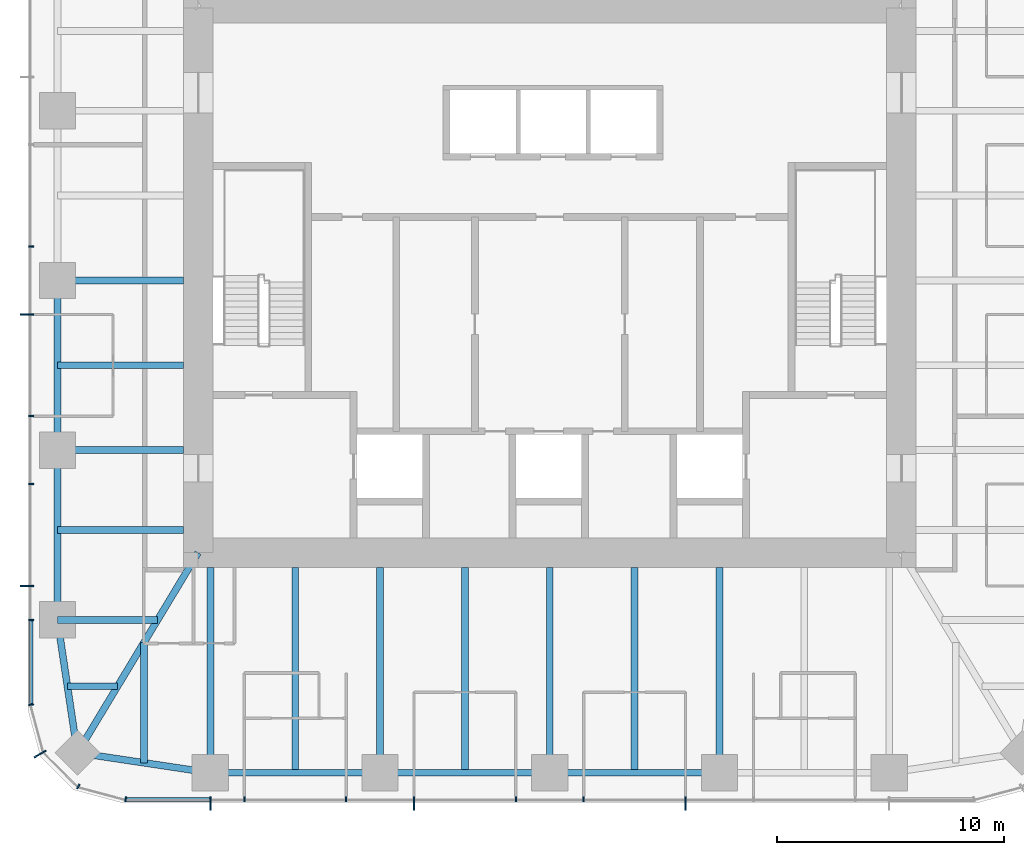
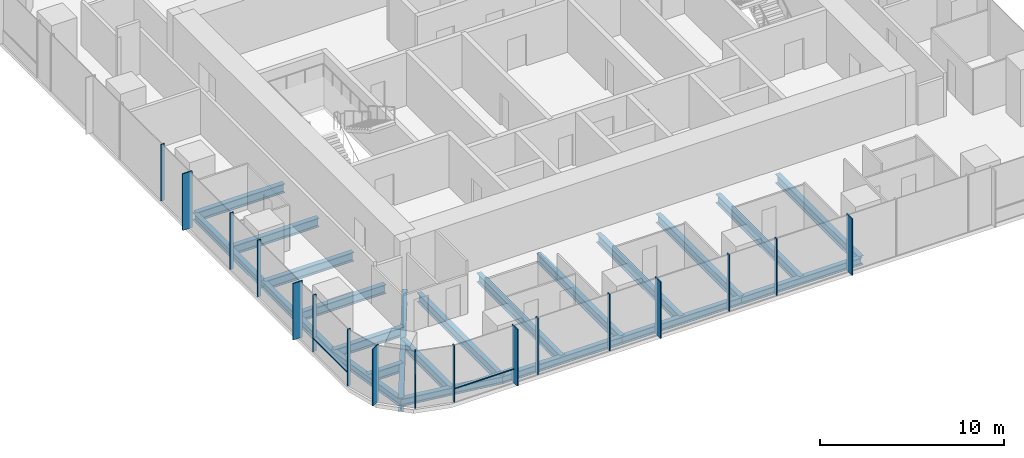
# One storey, part 2 of 12: 22 beams, 19 members, 3 elements without a shape of their own.
"""IFC4 building model written with IfcOpenShell, lengths in metres."""

from ifc_helpers import new_model, si_unit, direction, frame, origin, origin_2d, place, context, subcontext, project, spatial, rectangle, i_section, extrude, material, material_profile, profile_set, type_object, element, aggregate, save


model = new_model("IFC4")

# Units and contexts
model_context = context("Model", 3, precision=1e-05, world=origin(), true_north=direction((0.0, 1.0)))
body_context = subcontext(model_context, "Body", "Model", "MODEL_VIEW")
ifc_project = project(units=[si_unit("LENGTHUNIT", "METRE"), si_unit("AREAUNIT", "SQUARE_METRE"), si_unit("VOLUMEUNIT", "CUBIC_METRE"), si_unit("PLANEANGLEUNIT", "RADIAN"), si_unit("MASSUNIT", "GRAM", prefix="KILO")], contexts=[model_context])

# Site, building, storey
site_placement = place(None, origin())
site = spatial("IfcSite", under=ifc_project, at=site_placement, CompositionType="ELEMENT")
building_placement = place(site_placement, origin())
building = spatial("IfcBuilding", under=site, at=building_placement, Name="Khuree Lantern Residences", CompositionType="ELEMENT")
storey_placement = place(building_placement, frame((0.0, 0.0, 342.0)))
storey = spatial("IfcBuildingStorey", under=building, at=storey_placement, Name="L86", CompositionType="ELEMENT", Elevation=342.0)

# Beams
ifc_material_1 = material(Name="Steel S355", Category="steel")
ifc_material_profile_1 = material_profile(ifc_material_1, i_section(OverallWidth=0.300048828125, OverallDepth=0.590087890625, WebThickness=0.012939453125, FlangeThickness=0.02490234375, FilletRadius=0.027099609375, at=origin_2d()), Name="HE 600 A")
ifc_profile_set_1 = profile_set([ifc_material_profile_1], Name="Steel S355")
beam_type_1 = type_object("IfcBeamType", Name="B-45 SECONDARY BEAM HE 600 A", PredefinedType="BEAM", material=ifc_profile_set_1)
for number, where, z_axis, x_axis, name in (
    (1, (3.739990234375, -21.699951171875, -0.544921875), (0.0, 1.0, 0.0), (-1.0, 0.0, 0.0), "Secondary beam S3"),
    (2, (-3.739990234375, -21.699951171875, -0.544921875), (0.0, 1.0, 0.0), (-1.0, 0.0, 0.0), "Secondary beam S4"),
    (3, (-11.219970703125, -21.699951171875, -0.544921875), (0.0, 1.0, 0.0), (-1.0, 0.0, 0.0), "Secondary beam S5"),
):
    element("IfcBeam", number, at=place(storey_placement, frame(where, z_axis=z_axis, x_axis=x_axis)), inside=storey, type_object=beam_type_1, Name=name, PredefinedType="BEAM", context=body_context, shape_type="SweptSolid", body=[
        extrude(i_section(OverallWidth=0.300048828125, OverallDepth=0.590087890625, WebThickness=0.012939453125, FlangeThickness=0.02490234375, FilletRadius=0.027099609375, at=origin_2d()), origin(), (0.0, 0.0, 1.0), 9.050048828125),
    ])
beam_1_placement = place(storey_placement, frame((-17.890625, -21.2607421875, -0.544921875), z_axis=(0.0, 1.0, 0.0), x_axis=(-1.0, 0.0, 0.0)))
element("IfcBeam", 4, at=beam_1_placement, inside=storey, type_object=beam_type_1, Name="Secondary beam S6", PredefinedType="BEAM", context=body_context, shape_type="SweptSolid", body=[
    extrude(i_section(OverallWidth=0.300048828125, OverallDepth=0.590087890625, WebThickness=0.012939453125, FlangeThickness=0.02490234375, FilletRadius=0.027099609375, at=origin_2d()), origin(), (0.0, 0.0, 1.0), 5.297607421875),
])
beam_2_placement = place(storey_placement, frame((-21.2607421875, -17.890625, -0.544921875), z_axis=(1.0, 0.0, 0.0), x_axis=(0.0, 1.0, 0.0)))
element("IfcBeam", 5, at=beam_2_placement, inside=storey, type_object=beam_type_1, Name="Secondary beam W1", PredefinedType="BEAM", context=body_context, shape_type="SweptSolid", body=[
    extrude(i_section(OverallWidth=0.300048828125, OverallDepth=0.590087890625, WebThickness=0.012939453125, FlangeThickness=0.02490234375, FilletRadius=0.027099609375, at=origin_2d()), origin(), (0.0, 0.0, 1.0), 2.207275390625),
])
for number, where, z_axis, x_axis, name in (
    (6, (-21.699951171875, -11.0, -0.544921875), (1.0, 0.0, 0.0), (0.0, 1.0, 0.0), "Secondary beam W2"),
    (7, (-21.699951171875, -3.739990234375, -0.544921875), (1.0, 0.0, 0.0), (0.0, 1.0, 0.0), "Secondary beam W3"),
):
    element("IfcBeam", number, at=place(storey_placement, frame(where, z_axis=z_axis, x_axis=x_axis)), inside=storey, type_object=beam_type_1, Name=name, PredefinedType="BEAM", context=body_context, shape_type="SweptSolid", body=[
        extrude(i_section(OverallWidth=0.300048828125, OverallDepth=0.590087890625, WebThickness=0.012939453125, FlangeThickness=0.02490234375, FilletRadius=0.027099609375, at=origin_2d()), origin(), (0.0, 0.0, 1.0), 5.550048828125),
    ])
ifc_material_profile_2 = material_profile(ifc_material_1, i_section(OverallWidth=0.300048828125, OverallDepth=0.489990234375, WebThickness=0.011962890625, FlangeThickness=0.02294921875, FilletRadius=0.027099609375, at=origin_2d()), Name="HE 500 A")
ifc_profile_set_2 = profile_set([ifc_material_profile_2], Name="Steel S355")
beam_type_2 = type_object("IfcBeamType", Name="E-45 SPANDREL BEAM HE 500 A", PredefinedType="SPANDREL", material=ifc_profile_set_2)
for number, where, z_axis, x_axis, name in (
    (8, (7.47998046875, -21.699951171875, -0.4951171875), (-1.0, 0.0, 0.0), (0.0, -1.0, 0.0), "Spandrel beam S3"),
    (9, (0.0, -21.699951171875, -0.4951171875), (-1.0, 0.0, 0.0), (0.0, -1.0, 0.0), "Spandrel beam S4"),
    (10, (-7.47998046875, -21.699951171875, -0.4951171875), (-1.0, 0.0, 0.0), (0.0, -1.0, 0.0), "Spandrel beam S5"),
):
    element("IfcBeam", number, at=place(storey_placement, frame(where, z_axis=z_axis, x_axis=x_axis)), inside=storey, type_object=beam_type_2, Name=name, PredefinedType="SPANDREL", context=body_context, shape_type="SweptSolid", body=[
        extrude(i_section(OverallWidth=0.300048828125, OverallDepth=0.489990234375, WebThickness=0.011962890625, FlangeThickness=0.02294921875, FilletRadius=0.027099609375, at=origin_2d()), origin(), (0.0, 0.0, 1.0), 7.47998046875),
    ])
for number, where, z_axis, x_axis, name in (
    (11, (-14.9599609375, -21.699951171875, -0.4951171875), (-0.988949643299, 0.148251822985, 0.0), (-0.148251822985, -0.988949643299, 0.0), "Spandrel beam S6"),
    (12, (-20.8212890625, -20.8212890625, -0.4951171875), (-0.148251822985, 0.988949643299, 0.0), (-0.988949643299, -0.148251822985, 0.0), "Spandrel beam W1"),
):
    element("IfcBeam", number, at=place(storey_placement, frame(where, z_axis=z_axis, x_axis=x_axis)), inside=storey, type_object=beam_type_2, Name=name, PredefinedType="SPANDREL", context=body_context, shape_type="SweptSolid", body=[
        extrude(i_section(OverallWidth=0.300048828125, OverallDepth=0.489990234375, WebThickness=0.011962890625, FlangeThickness=0.02294921875, FilletRadius=0.027099609375, at=origin_2d()), origin(), (0.0, 0.0, 1.0), 5.9267578125),
    ])
for number, where, z_axis, x_axis, name in (
    (13, (-21.699951171875, -14.9599609375, -0.4951171875), (0.0, 1.0, 0.0), (-1.0, 0.0, 0.0), "Spandrel beam W2"),
    (14, (-21.699951171875, -7.47998046875, -0.4951171875), (0.0, 1.0, 0.0), (-1.0, 0.0, 0.0), "Spandrel beam W3"),
):
    element("IfcBeam", number, at=place(storey_placement, frame(where, z_axis=z_axis, x_axis=x_axis)), inside=storey, type_object=beam_type_2, Name=name, PredefinedType="SPANDREL", context=body_context, shape_type="SweptSolid", body=[
        extrude(i_section(OverallWidth=0.300048828125, OverallDepth=0.489990234375, WebThickness=0.011962890625, FlangeThickness=0.02294921875, FilletRadius=0.027099609375, at=origin_2d()), origin(), (0.0, 0.0, 1.0), 7.47998046875),
    ])

# Curtain wall, members
ifc_material_2 = material(Name="Bronze anodised aluminium", Category="aluminium")
curtain_wall_type_1 = type_object("IfcCurtainWallType", Name="CW-T1 TOWER FACE CURTAIN WALL", PredefinedType="USERDEFINED", material=ifc_material_2)
curtain_wall_1_placement = place(storey_placement, origin())
curtain_wall_1 = element("IfcCurtainWall", 15, at=curtain_wall_1_placement, inside=storey, type_object=curtain_wall_type_1, Name="L86 WEST FACE CURTAIN WALL", ObjectType="Stick-built curtain wall", PredefinedType="USERDEFINED")
ifc_material_profile_3 = material_profile(ifc_material_2, rectangle(XDim=0.06494140625, YDim=0.60009765625, at=origin_2d()), Name="F1 65X600")
ifc_profile_set_3 = profile_set([ifc_material_profile_3], Name="Bronze anodised aluminium")
member_type_1 = type_object("IfcMemberType", Name="F1 BRONZE FIN MULLION TOWER 65X600", PredefinedType="MULLION", material=ifc_profile_set_3)
member_1_placement = place(storey_placement, frame((-23.050048828125, -1.49609375, 0.0), z_axis=(0.0, 0.0, 1.0), x_axis=(0.0, -1.0, 0.0)))
member_1 = element("IfcMember", 16, at=member_1_placement, type_object=member_type_1, Name="L86 WEST FACE FIN MULLION 38", PredefinedType="MULLION", context=body_context, shape_type="SweptSolid", body=[
    extrude(rectangle(XDim=0.06494140625, YDim=0.60009765625, at=origin_2d()), origin(), (0.0, 0.0, 1.0), 3.75),
])
member_2_placement = place(storey_placement, frame((-23.050048828125, -13.464111328125, 0.0), z_axis=(0.0, 0.0, 1.0), x_axis=(0.0, -1.0, 0.0)))
member_2 = element("IfcMember", 17, at=member_2_placement, type_object=member_type_1, Name="L86 WEST FACE FIN MULLION 41", PredefinedType="MULLION", context=body_context, shape_type="SweptSolid", body=[
    extrude(rectangle(XDim=0.06494140625, YDim=0.60009765625, at=origin_2d()), origin(), (0.0, 0.0, 1.0), 3.75),
])

# Curtain wall, member
curtain_wall_type_2 = type_object("IfcCurtainWallType", Name="CW-T2 TOWER CORNER CURTAIN WALL", PredefinedType="USERDEFINED", material=ifc_material_2)
curtain_wall_2_placement = place(storey_placement, origin())
curtain_wall_2 = element("IfcCurtainWall", 18, at=curtain_wall_2_placement, inside=storey, type_object=curtain_wall_type_2, Name="L86 SOUTH-WEST CORNER CURTAIN WALL", ObjectType="Faceted corner curtain wall", PredefinedType="USERDEFINED")
member_3_placement = place(storey_placement, frame((-22.46728515625, -20.875, 0.0), z_axis=(0.0, 0.0, 1.0), x_axis=(0.49999994149, -0.866025437565, 0.0)))
member_3 = element("IfcMember", 19, at=member_3_placement, type_object=member_type_1, Name="L86 SOUTH-WEST CORNER FIN MULLION 44", PredefinedType="MULLION", context=body_context, shape_type="SweptSolid", body=[
    extrude(rectangle(XDim=0.06494140625, YDim=0.60009765625, at=origin_2d()), origin(), (0.0, 0.0, 1.0), 3.75),
])

# Curtain wall, members
curtain_wall_3_placement = place(storey_placement, origin())
curtain_wall_3 = element("IfcCurtainWall", 20, at=curtain_wall_3_placement, inside=storey, type_object=curtain_wall_type_1, Name="L86 SOUTH FACE CURTAIN WALL", ObjectType="Stick-built curtain wall", PredefinedType="USERDEFINED")
member_4_placement = place(storey_placement, frame((-14.9599609375, -23.050048828125, 0.0), z_axis=(0.0, 0.0, 1.0), x_axis=(1.0, 0.0, 0.0)))
member_4 = element("IfcMember", 21, at=member_4_placement, type_object=member_type_1, Name="L86 SOUTH FACE FIN MULLION 47", PredefinedType="MULLION", context=body_context, shape_type="SweptSolid", body=[
    extrude(rectangle(XDim=0.06494140625, YDim=0.60009765625, at=origin_2d()), origin(), (0.0, 0.0, 1.0), 3.75),
])
member_5_placement = place(storey_placement, frame((-5.98388671875, -23.050048828125, 0.0), z_axis=(0.0, 0.0, 1.0), x_axis=(1.0, 0.0, 0.0)))
member_5 = element("IfcMember", 22, at=member_5_placement, type_object=member_type_1, Name="L86 SOUTH FACE FIN MULLION 50", PredefinedType="MULLION", context=body_context, shape_type="SweptSolid", body=[
    extrude(rectangle(XDim=0.06494140625, YDim=0.60009765625, at=origin_2d()), origin(), (0.0, 0.0, 1.0), 3.75),
])
member_6_placement = place(storey_placement, frame((5.98388671875, -23.050048828125, 0.0), z_axis=(0.0, 0.0, 1.0), x_axis=(1.0, 0.0, 0.0)))
member_6 = element("IfcMember", 23, at=member_6_placement, type_object=member_type_1, Name="L86 SOUTH FACE FIN MULLION 53", PredefinedType="MULLION", context=body_context, shape_type="SweptSolid", body=[
    extrude(rectangle(XDim=0.06494140625, YDim=0.60009765625, at=origin_2d()), origin(), (0.0, 0.0, 1.0), 3.75),
])

# Beams
ifc_material_profile_4 = material_profile(ifc_material_1, i_section(OverallWidth=0.300048828125, OverallDepth=0.60009765625, WebThickness=0.015380859375, FlangeThickness=0.030029296875, FilletRadius=0.027099609375, at=origin_2d()), Name="HE 600 B")
ifc_profile_set_4 = profile_set([ifc_material_profile_4], Name="Steel S355")
beam_type_3 = type_object("IfcBeamType", Name="G-45 GIRDER HE 600 B", PredefinedType="BEAM", material=ifc_profile_set_4)
for number, where, z_axis, x_axis, name in (
    (24, (7.47998046875, -21.699951171875, -0.550048828125), (0.0, 1.0, 0.0), (-1.0, 0.0, 0.0), "Girder S2"),
    (25, (0.0, -21.699951171875, -0.550048828125), (0.0, 1.0, 0.0), (-1.0, 0.0, 0.0), "Girder S3"),
    (26, (-7.47998046875, -21.699951171875, -0.550048828125), (0.0, 1.0, 0.0), (-1.0, 0.0, 0.0), "Girder S4"),
    (27, (-14.9599609375, -21.699951171875, -0.550048828125), (0.0, 1.0, 0.0), (-1.0, 0.0, 0.0), "Girder S5"),
):
    element("IfcBeam", number, at=place(storey_placement, frame(where, z_axis=z_axis, x_axis=x_axis)), inside=storey, type_object=beam_type_3, Name=name, PredefinedType="BEAM", context=body_context, shape_type="SweptSolid", body=[
        extrude(i_section(OverallWidth=0.300048828125, OverallDepth=0.60009765625, WebThickness=0.015380859375, FlangeThickness=0.030029296875, FilletRadius=0.027099609375, at=origin_2d()), origin(), (0.0, 0.0, 1.0), 9.050048828125),
    ])
beam_3_placement = place(storey_placement, frame((-21.699951171875, -14.9599609375, -0.550048828125), z_axis=(1.0, 0.0, 0.0), x_axis=(0.0, 1.0, 0.0)))
element("IfcBeam", 28, at=beam_3_placement, inside=storey, type_object=beam_type_3, Name="Girder W1", PredefinedType="BEAM", context=body_context, shape_type="SweptSolid", body=[
    extrude(i_section(OverallWidth=0.300048828125, OverallDepth=0.60009765625, WebThickness=0.015380859375, FlangeThickness=0.030029296875, FilletRadius=0.027099609375, at=origin_2d()), origin(), (0.0, 0.0, 1.0), 4.414306640625),
])
for number, where, z_axis, x_axis, name in (
    (29, (-21.699951171875, -7.47998046875, -0.550048828125), (1.0, 0.0, 0.0), (0.0, 1.0, 0.0), "Girder W2"),
    (30, (-21.699951171875, 0.0, -0.550048828125), (1.0, 0.0, 0.0), (0.0, 1.0, 0.0), "Girder W3"),
):
    element("IfcBeam", number, at=place(storey_placement, frame(where, z_axis=z_axis, x_axis=x_axis)), inside=storey, type_object=beam_type_3, Name=name, PredefinedType="BEAM", context=body_context, shape_type="SweptSolid", body=[
        extrude(i_section(OverallWidth=0.300048828125, OverallDepth=0.60009765625, WebThickness=0.015380859375, FlangeThickness=0.030029296875, FilletRadius=0.027099609375, at=origin_2d()), origin(), (0.0, 0.0, 1.0), 5.550048828125),
    ])
ifc_material_profile_5 = material_profile(ifc_material_1, i_section(OverallWidth=0.300048828125, OverallDepth=0.89990234375, WebThickness=0.0185546875, FlangeThickness=0.034912109375, FilletRadius=0.030029296875, at=origin_2d()), Name="HE 900 B")
ifc_profile_set_5 = profile_set([ifc_material_profile_5], Name="Steel S355")
beam_type_4 = type_object("IfcBeamType", Name="GD-45 CORNER GIRDER HE 900 B", PredefinedType="BEAM", material=ifc_profile_set_5)
beam_4_placement = place(storey_placement, frame((-20.8212890625, -20.8212890625, -0.699951171875), z_axis=(0.516529577604, 0.856269347495, 0.0), x_axis=(-0.856269347495, 0.516529577604, 0.0)))
element("IfcBeam", 31, at=beam_4_placement, inside=storey, type_object=beam_type_4, Name="Corner girder SW", PredefinedType="BEAM", context=body_context, shape_type="SweptSolid", body=[
    extrude(i_section(OverallWidth=0.300048828125, OverallDepth=0.89990234375, WebThickness=0.0185546875, FlangeThickness=0.034912109375, FilletRadius=0.030029296875, at=origin_2d()), origin(), (0.0, 0.0, 1.0), 10.302001953125),
])

# Member
ifc_material_profile_6 = material_profile(ifc_material_2, rectangle(XDim=0.06494140625, YDim=0.219970703125, at=origin_2d()), Name="M1 65X220")
ifc_profile_set_6 = profile_set([ifc_material_profile_6], Name="Bronze anodised aluminium")
member_type_2 = type_object("IfcMemberType", Name="M1 BRONZE MULLION TOWER 65X220", PredefinedType="MULLION", material=ifc_profile_set_6)
member_7_placement = place(storey_placement, frame((-22.860107421875, 1.49609375, 0.0), z_axis=(0.0, 0.0, 1.0), x_axis=(0.0, -1.0, 0.0)))
member_7 = element("IfcMember", 32, at=member_7_placement, type_object=member_type_2, Name="L86 WEST FACE MULLION 37", PredefinedType="MULLION", context=body_context, shape_type="SweptSolid", body=[
    extrude(rectangle(XDim=0.06494140625, YDim=0.219970703125, at=origin_2d()), origin(), (0.0, 0.0, 1.0), 3.75),
])

member_8_placement = place(storey_placement, frame((-22.860107421875, -5.98388671875, 0.0), z_axis=(0.0, 0.0, 1.0), x_axis=(0.0, -1.0, 0.0)))
member_8 = element("IfcMember", 33, at=member_8_placement, type_object=member_type_2, Name="L86 WEST FACE MULLION 39", PredefinedType="MULLION", context=body_context, shape_type="SweptSolid", body=[
    extrude(rectangle(XDim=0.06494140625, YDim=0.219970703125, at=origin_2d()), origin(), (0.0, 0.0, 1.0), 3.75),
])

member_9_placement = place(storey_placement, frame((-22.860107421875, -8.97607421875, 0.0), z_axis=(0.0, 0.0, 1.0), x_axis=(0.0, -1.0, 0.0)))
member_9 = element("IfcMember", 34, at=member_9_placement, type_object=member_type_2, Name="L86 WEST FACE MULLION 40", PredefinedType="MULLION", context=body_context, shape_type="SweptSolid", body=[
    extrude(rectangle(XDim=0.06494140625, YDim=0.219970703125, at=origin_2d()), origin(), (0.0, 0.0, 1.0), 3.75),
])

member_10_placement = place(storey_placement, frame((-22.860107421875, -14.9599609375, 0.0), z_axis=(0.0, 0.0, 1.0), x_axis=(0.0, -1.0, 0.0)))
member_10 = element("IfcMember", 35, at=member_10_placement, type_object=member_type_2, Name="L86 WEST FACE MULLION 42", PredefinedType="MULLION", context=body_context, shape_type="SweptSolid", body=[
    extrude(rectangle(XDim=0.06494140625, YDim=0.219970703125, at=origin_2d()), origin(), (0.0, 0.0, 1.0), 3.75),
])

member_11_placement = place(storey_placement, frame((-22.86181640625, -18.695068359375, 0.0), z_axis=(0.0, 0.0, 1.0), x_axis=(0.130526125236, -0.991444870192, 0.0)))
member_11 = element("IfcMember", 36, at=member_11_placement, type_object=member_type_2, Name="L86 SOUTH-WEST CORNER MULLION 43", PredefinedType="MULLION", context=body_context, shape_type="SweptSolid", body=[
    extrude(rectangle(XDim=0.06494140625, YDim=0.219970703125, at=origin_2d()), origin(), (0.0, 0.0, 1.0), 3.75),
])

member_12_placement = place(storey_placement, frame((-20.780029296875, -22.302734375, 0.0), z_axis=(0.0, 0.0, 1.0), x_axis=(0.866025437565, -0.49999994149, 0.0)))
member_12 = element("IfcMember", 37, at=member_12_placement, type_object=member_type_2, Name="L86 SOUTH-WEST CORNER MULLION 45", PredefinedType="MULLION", context=body_context, shape_type="SweptSolid", body=[
    extrude(rectangle(XDim=0.06494140625, YDim=0.219970703125, at=origin_2d()), origin(), (0.0, 0.0, 1.0), 3.75),
])

aggregate(curtain_wall_2, [member_11, member_3, member_12])

member_13_placement = place(storey_placement, frame((-18.695068359375, -22.86181640625, 0.0), z_axis=(0.0, 0.0, 1.0), x_axis=(0.991444870192, -0.130526125236, 0.0)))
member_13 = element("IfcMember", 38, at=member_13_placement, type_object=member_type_2, Name="L86 SOUTH FACE MULLION 46", PredefinedType="MULLION", context=body_context, shape_type="SweptSolid", body=[
    extrude(rectangle(XDim=0.06494140625, YDim=0.219970703125, at=origin_2d()), origin(), (0.0, 0.0, 1.0), 3.75),
])

member_14_placement = place(storey_placement, frame((-13.464111328125, -22.860107421875, 0.0), z_axis=(0.0, 0.0, 1.0), x_axis=(1.0, 0.0, 0.0)))
member_14 = element("IfcMember", 39, at=member_14_placement, type_object=member_type_2, Name="L86 SOUTH FACE MULLION 48", PredefinedType="MULLION", context=body_context, shape_type="SweptSolid", body=[
    extrude(rectangle(XDim=0.06494140625, YDim=0.219970703125, at=origin_2d()), origin(), (0.0, 0.0, 1.0), 3.75),
])

member_15_placement = place(storey_placement, frame((-8.97607421875, -22.860107421875, 0.0), z_axis=(0.0, 0.0, 1.0), x_axis=(1.0, 0.0, 0.0)))
member_15 = element("IfcMember", 40, at=member_15_placement, type_object=member_type_2, Name="L86 SOUTH FACE MULLION 49", PredefinedType="MULLION", context=body_context, shape_type="SweptSolid", body=[
    extrude(rectangle(XDim=0.06494140625, YDim=0.219970703125, at=origin_2d()), origin(), (0.0, 0.0, 1.0), 3.75),
])

member_16_placement = place(storey_placement, frame((-1.49609375, -22.860107421875, 0.0), z_axis=(0.0, 0.0, 1.0), x_axis=(1.0, 0.0, 0.0)))
member_16 = element("IfcMember", 41, at=member_16_placement, type_object=member_type_2, Name="L86 SOUTH FACE MULLION 51", PredefinedType="MULLION", context=body_context, shape_type="SweptSolid", body=[
    extrude(rectangle(XDim=0.06494140625, YDim=0.219970703125, at=origin_2d()), origin(), (0.0, 0.0, 1.0), 3.75),
])

member_17_placement = place(storey_placement, frame((1.49609375, -22.860107421875, 0.0), z_axis=(0.0, 0.0, 1.0), x_axis=(1.0, 0.0, 0.0)))
member_17 = element("IfcMember", 42, at=member_17_placement, type_object=member_type_2, Name="L86 SOUTH FACE MULLION 52", PredefinedType="MULLION", context=body_context, shape_type="SweptSolid", body=[
    extrude(rectangle(XDim=0.06494140625, YDim=0.219970703125, at=origin_2d()), origin(), (0.0, 0.0, 1.0), 3.75),
])

ifc_material_profile_7 = material_profile(ifc_material_2, rectangle(XDim=0.179931640625, YDim=0.06494140625, at=origin_2d()), Name="T1 180X65")
ifc_profile_set_7 = profile_set([ifc_material_profile_7], Name="Bronze anodised aluminium")
member_type_3 = type_object("IfcMemberType", Name="TRANSOM T1 TOWER 180X65", PredefinedType="USERDEFINED", material=ifc_profile_set_7)
member_18_placement = place(storey_placement, frame((-22.8701171875, -14.992431640625, 0.89990234375), z_axis=(0.0, -1.0, 0.0), x_axis=(1.0, 0.0, 0.0)))
member_18 = element("IfcMember", 43, at=member_18_placement, type_object=member_type_3, Name="L86 WEST FACE TRANSOM 42.1", ObjectType="Transom", PredefinedType="USERDEFINED", context=body_context, shape_type="SweptSolid", body=[
    extrude(rectangle(XDim=0.179931640625, YDim=0.06494140625, at=origin_2d()), origin(), (0.0, 0.0, 1.0), 3.658935546875),
])

aggregate(curtain_wall_1, [member_7, member_1, member_8, member_9, member_2, member_10, member_18])

member_19_placement = place(storey_placement, frame((-18.6513671875, -22.8701171875, 0.89990234375), z_axis=(1.0, 0.0, 0.0), x_axis=(0.0, 1.0, 0.0)))
member_19 = element("IfcMember", 44, at=member_19_placement, type_object=member_type_3, Name="L86 SOUTH FACE TRANSOM 46.1", ObjectType="Transom", PredefinedType="USERDEFINED", context=body_context, shape_type="SweptSolid", body=[
    extrude(rectangle(XDim=0.179931640625, YDim=0.06494140625, at=origin_2d()), origin(), (0.0, 0.0, 1.0), 3.658935546875),
])

aggregate(curtain_wall_3, [member_13, member_4, member_14, member_15, member_5, member_16, member_17, member_6, member_19])

save(model, "model.ifc")
